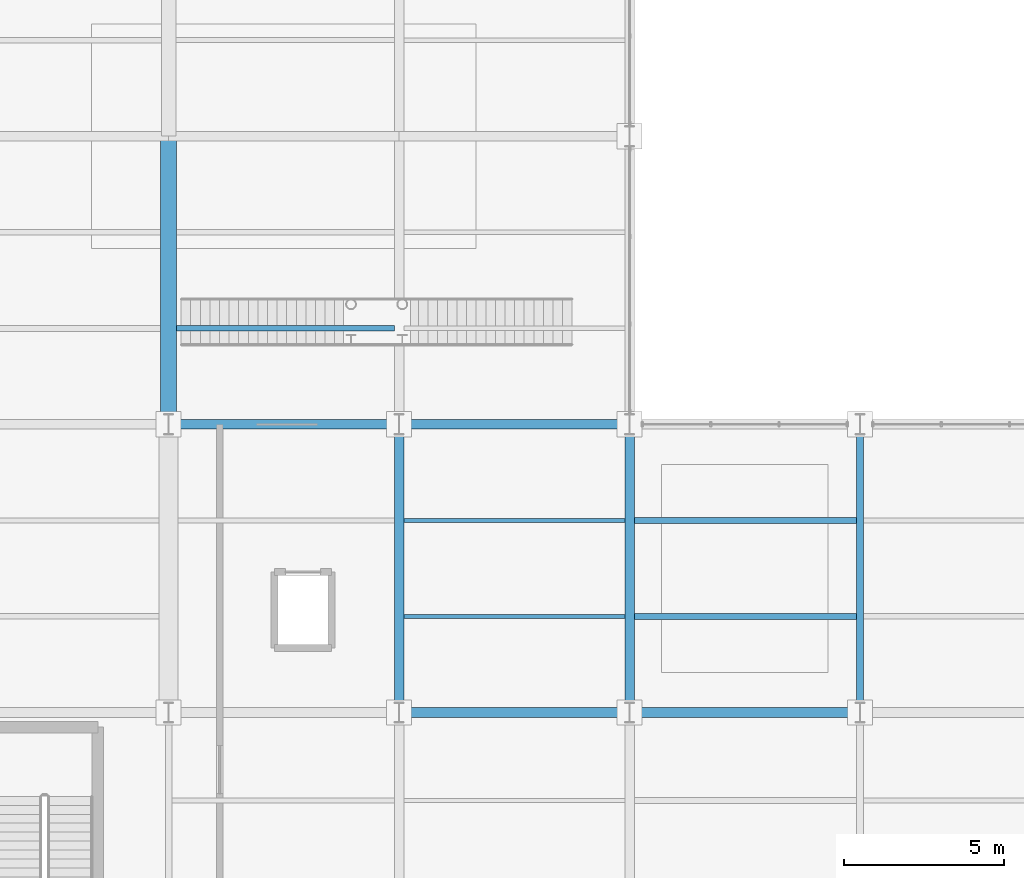
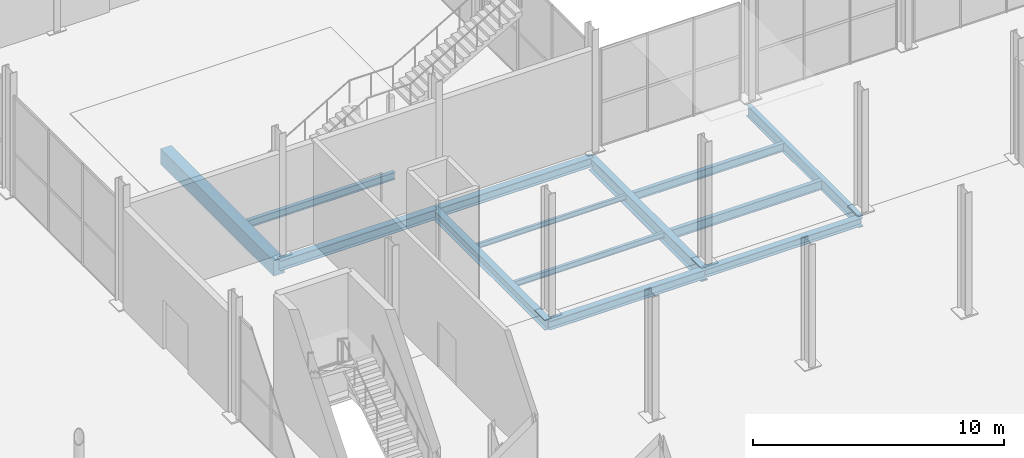
# One storey, part 45 of 144: 13 beams.
"""IFC4 building model written with IfcOpenShell, lengths in metres."""

from ifc_helpers import new_model, si_unit, direction, frame, origin, origin_2d, place, context, subcontext, project, spatial, rectangle, i_section, extrude, material, material_profile, profile_set, type_object, element, save


model = new_model("IFC4")

# Units and contexts
model_context = context("Model", 3, precision=1e-05, world=origin(), true_north=direction((0.0, 1.0)))
body_context = subcontext(model_context, "Body", "Model", "MODEL_VIEW")
ifc_project = project(units=[si_unit("LENGTHUNIT", "METRE"), si_unit("AREAUNIT", "SQUARE_METRE"), si_unit("VOLUMEUNIT", "CUBIC_METRE"), si_unit("PLANEANGLEUNIT", "RADIAN"), si_unit("MASSUNIT", "GRAM", prefix="KILO")], contexts=[model_context])

# Site, building, storey
site_placement = place(None, origin())
site = spatial("IfcSite", under=ifc_project, at=site_placement, CompositionType="ELEMENT")
building_placement = place(site_placement, origin())
building = spatial("IfcBuilding", under=site, at=building_placement, Name="Sundgate Opera House", CompositionType="ELEMENT")
storey_placement = place(building_placement, origin())
storey = spatial("IfcBuildingStorey", under=building, at=storey_placement, Name="L00", CompositionType="ELEMENT", Elevation=0.0)

# Beams
ifc_material_1 = material(Name="Steel S355J2", Category="steel")
ifc_material_profile_1 = material_profile(ifc_material_1, i_section(OverallWidth=0.300048828125, OverallDepth=0.389892578125, WebThickness=0.010986328125, FlangeThickness=0.01904296875, at=origin_2d()), Name="HEA 400")
ifc_profile_set_1 = profile_set([ifc_material_profile_1], Name="Steel S355J2")
beam_type_1 = type_object("IfcBeamType", Name="BM-GR-HEA400", PredefinedType="BEAM", material=ifc_profile_set_1)
beam_1_placement = place(storey_placement, frame((117.0, 33.0, -0.514892578125), z_axis=(1.0, 0.0, 0.0), x_axis=(0.0, 1.0, 0.0)))
element("IfcBeam", 1, at=beam_1_placement, inside=storey, type_object=beam_type_1, Name="L00 Primary E-W Girder B0399", PredefinedType="BEAM", context=body_context, shape_type="SweptSolid", body=[
    extrude(i_section(OverallWidth=0.300048828125, OverallDepth=0.389892578125, WebThickness=0.010986328125, FlangeThickness=0.01904296875, at=origin_2d()), origin(), (0.0, 0.0, 1.0), 7.199951171875),
])
ifc_material_2 = material(Name="Steel S355J2", Category="steel")
ifc_material_profile_2 = material_profile(ifc_material_2, i_section(OverallWidth=0.300048828125, OverallDepth=0.43994140625, WebThickness=0.011474609375, FlangeThickness=0.02099609375, at=origin_2d()), Name="HEA 450")
ifc_profile_set_2 = profile_set([ifc_material_profile_2], Name="Steel S355J2")
beam_type_2 = type_object("IfcBeamType", Name="BM-GR-HEA450", PredefinedType="BEAM", material=ifc_profile_set_2)
for number, where, z_axis, x_axis, name in (
    (2, (109.800048828125, 33.0, -0.5400390625), (1.0, 0.0, 0.0), (0.0, 1.0, 0.0), "L00 Primary E-W Girder B0398"),
    (3, (109.800048828125, 42.0, -0.5400390625), (1.0, 0.0, 0.0), (0.0, 1.0, 0.0), "L00 Primary E-W Girder B0420"),
):
    element("IfcBeam", number, at=place(storey_placement, frame(where, z_axis=z_axis, x_axis=x_axis)), inside=storey, type_object=beam_type_2, Name=name, PredefinedType="BEAM", context=body_context, shape_type="SweptSolid", body=[
        extrude(i_section(OverallWidth=0.300048828125, OverallDepth=0.43994140625, WebThickness=0.011474609375, FlangeThickness=0.02099609375, at=origin_2d()), origin(), (0.0, 0.0, 1.0), 7.199951171875),
    ])
ifc_material_3 = material(Name="Steel S355J2", Category="steel")
ifc_material_profile_3 = material_profile(ifc_material_3, i_section(OverallWidth=0.300048828125, OverallDepth=0.489990234375, WebThickness=0.011962890625, FlangeThickness=0.02294921875, at=origin_2d()), Name="HEA 500")
ifc_profile_set_3 = profile_set([ifc_material_profile_3], Name="Steel S355J2")
beam_type_3 = type_object("IfcBeamType", Name="BM-GR-HEA500", PredefinedType="BEAM", material=ifc_profile_set_3)
beam_2_placement = place(storey_placement, frame((109.800048828125, 33.0, -0.56494140625), z_axis=(0.0, 1.0, 0.0), x_axis=(-1.0, 0.0, 0.0)))
element("IfcBeam", 4, at=beam_2_placement, inside=storey, type_object=beam_type_3, Name="L00 Primary N-S Girder B0222", PredefinedType="BEAM", context=body_context, shape_type="SweptSolid", body=[
    extrude(i_section(OverallWidth=0.300048828125, OverallDepth=0.489990234375, WebThickness=0.011962890625, FlangeThickness=0.02294921875, at=origin_2d()), origin(), (0.0, 0.0, 1.0), 9.0),
])
beam_3_placement = place(storey_placement, frame((102.60009765625, 42.0, -0.56494140625), z_axis=(1.0, 0.0, 0.0), x_axis=(0.0, 1.0, 0.0)))
element("IfcBeam", 5, at=beam_3_placement, inside=storey, type_object=beam_type_3, Name="L00 Primary E-W Girder B0419", PredefinedType="BEAM", context=body_context, shape_type="SweptSolid", body=[
    extrude(i_section(OverallWidth=0.300048828125, OverallDepth=0.489990234375, WebThickness=0.011962890625, FlangeThickness=0.02294921875, at=origin_2d()), origin(), (0.0, 0.0, 1.0), 7.199951171875),
])
ifc_material_4 = material(Name="Steel S355J2", Category="steel")
ifc_material_profile_4 = material_profile(ifc_material_4, i_section(OverallWidth=0.300048828125, OverallDepth=0.64990234375, WebThickness=0.01611328125, FlangeThickness=0.031005859375, at=origin_2d()), Name="HEB 650")
ifc_profile_set_4 = profile_set([ifc_material_profile_4], Name="Steel S355J2")
beam_type_4 = type_object("IfcBeamType", Name="BM-GR-HEB650", PredefinedType="BEAM", material=ifc_profile_set_4)
beam_4_placement = place(storey_placement, frame((117.0, 33.0, -0.64501953125), z_axis=(0.0, 1.0, 0.0), x_axis=(-1.0, 0.0, 0.0)))
element("IfcBeam", 6, at=beam_4_placement, inside=storey, type_object=beam_type_4, Name="L00 Primary N-S Girder B0236", PredefinedType="BEAM", context=body_context, shape_type="SweptSolid", body=[
    extrude(i_section(OverallWidth=0.300048828125, OverallDepth=0.64990234375, WebThickness=0.01611328125, FlangeThickness=0.031005859375, at=origin_2d()), origin(), (0.0, 0.0, 1.0), 9.0),
])
ifc_material_5 = material(Name="Steel S355J2", Category="steel")
ifc_material_profile_5 = material_profile(ifc_material_5, i_section(OverallWidth=0.2099609375, OverallDepth=0.550048828125, WebThickness=0.010986328125, FlangeThickness=0.01708984375, at=origin_2d()), Name="IPE 550")
ifc_profile_set_5 = profile_set([ifc_material_profile_5], Name="Steel S355J2")
beam_type_5 = type_object("IfcBeamType", Name="BM-GR-IPE550", PredefinedType="BEAM", material=ifc_profile_set_5)
beam_5_placement = place(storey_placement, frame((124.199951171875, 33.0, -0.594970703125), z_axis=(0.0, 1.0, 0.0), x_axis=(-1.0, 0.0, 0.0)))
element("IfcBeam", 7, at=beam_5_placement, inside=storey, type_object=beam_type_5, Name="L00 Primary N-S Girder B0250", PredefinedType="BEAM", context=body_context, shape_type="SweptSolid", body=[
    extrude(i_section(OverallWidth=0.2099609375, OverallDepth=0.550048828125, WebThickness=0.010986328125, FlangeThickness=0.01708984375, at=origin_2d()), origin(), (0.0, 0.0, 1.0), 9.0),
])
ifc_material_6 = material(Name="Steel S355J2", Category="steel")
ifc_material_profile_6 = material_profile(ifc_material_6, i_section(OverallWidth=0.1201171875, OverallDepth=0.239990234375, WebThickness=0.006103515625, FlangeThickness=0.009765625, at=origin_2d()), Name="IPE 240")
ifc_profile_set_6 = profile_set([ifc_material_profile_6], Name="Steel S355J2")
beam_type_6 = type_object("IfcBeamType", Name="BM-JS-IPE240", PredefinedType="JOIST", material=ifc_profile_set_6)
beam_6_placement = place(storey_placement, frame((109.949951171875, 39.0, -0.43994140625), z_axis=(1.0, 0.0, 0.0), x_axis=(0.0, 1.0, 0.0)))
element("IfcBeam", 8, at=beam_6_placement, inside=storey, type_object=beam_type_6, Name="L00 Secondary Floor Joist B0734", PredefinedType="JOIST", context=body_context, shape_type="SweptSolid", body=[
    extrude(i_section(OverallWidth=0.1201171875, OverallDepth=0.239990234375, WebThickness=0.006103515625, FlangeThickness=0.009765625, at=origin_2d()), origin(), (0.0, 0.0, 1.0), 6.900146484375),
])
ifc_material_7 = material(Name="Steel S355J2", Category="steel")
ifc_material_profile_7 = material_profile(ifc_material_7, i_section(OverallWidth=0.135009765625, OverallDepth=0.27001953125, WebThickness=0.006591796875, FlangeThickness=0.01025390625, at=origin_2d()), Name="IPE 270")
ifc_profile_set_7 = profile_set([ifc_material_profile_7], Name="Steel S355J2")
beam_type_7 = type_object("IfcBeamType", Name="BM-JS-IPE270", PredefinedType="JOIST", material=ifc_profile_set_7)
beam_7_placement = place(storey_placement, frame((109.949951171875, 36.0, -0.455078125), z_axis=(1.0, 0.0, 0.0), x_axis=(0.0, 1.0, 0.0)))
element("IfcBeam", 9, at=beam_7_placement, inside=storey, type_object=beam_type_7, Name="L00 Secondary Floor Joist B0733", PredefinedType="JOIST", context=body_context, shape_type="SweptSolid", body=[
    extrude(i_section(OverallWidth=0.135009765625, OverallDepth=0.27001953125, WebThickness=0.006591796875, FlangeThickness=0.01025390625, at=origin_2d()), origin(), (0.0, 0.0, 1.0), 6.900146484375),
])
ifc_material_8 = material(Name="Steel S355J2", Category="steel")
ifc_material_profile_8 = material_profile(ifc_material_8, i_section(OverallWidth=0.169921875, OverallDepth=0.360107421875, WebThickness=0.008056640625, FlangeThickness=0.0126953125, at=origin_2d()), Name="IPE 360")
ifc_profile_set_8 = profile_set([ifc_material_profile_8], Name="Steel S355J2")
beam_type_8 = type_object("IfcBeamType", Name="BM-JS-IPE360", PredefinedType="JOIST", material=ifc_profile_set_8)
beam_8_placement = place(storey_placement, frame((102.85009765625, 45.0, -0.5), z_axis=(1.0, 0.0, 0.0), x_axis=(0.0, 1.0, 0.0)))
element("IfcBeam", 10, at=beam_8_placement, inside=storey, type_object=beam_type_8, Name="L00 Secondary Floor Joist B0765", PredefinedType="JOIST", context=body_context, shape_type="SweptSolid", body=[
    extrude(i_section(OverallWidth=0.169921875, OverallDepth=0.360107421875, WebThickness=0.008056640625, FlangeThickness=0.0126953125, at=origin_2d()), origin(), (0.0, 0.0, 1.0), 6.7998046875),
])
ifc_material_9 = material(Name="Steel S355J2", Category="steel")
ifc_material_profile_9 = material_profile(ifc_material_9, i_section(OverallWidth=0.179931640625, OverallDepth=0.39990234375, WebThickness=0.008544921875, FlangeThickness=0.013427734375, at=origin_2d()), Name="IPE 400")
ifc_profile_set_9 = profile_set([ifc_material_profile_9], Name="Steel S355J2")
beam_type_9 = type_object("IfcBeamType", Name="BM-JS-IPE400", PredefinedType="JOIST", material=ifc_profile_set_9)
beam_9_placement = place(storey_placement, frame((117.14990234375, 39.0, -0.52001953125), z_axis=(1.0, 0.0, 0.0), x_axis=(0.0, 1.0, 0.0)))
element("IfcBeam", 11, at=beam_9_placement, inside=storey, type_object=beam_type_9, Name="L00 Secondary Floor Joist B0736", PredefinedType="JOIST", context=body_context, shape_type="SweptSolid", body=[
    extrude(i_section(OverallWidth=0.179931640625, OverallDepth=0.39990234375, WebThickness=0.008544921875, FlangeThickness=0.013427734375, at=origin_2d()), origin(), (0.0, 0.0, 1.0), 6.945068359375),
])
ifc_material_10 = material(Name="Steel S355J2", Category="steel")
ifc_material_profile_10 = material_profile(ifc_material_10, i_section(OverallWidth=0.18994140625, OverallDepth=0.449951171875, WebThickness=0.009521484375, FlangeThickness=0.0146484375, at=origin_2d()), Name="IPE 450")
ifc_profile_set_10 = profile_set([ifc_material_profile_10], Name="Steel S355J2")
beam_type_10 = type_object("IfcBeamType", Name="BM-JS-IPE450", PredefinedType="JOIST", material=ifc_profile_set_10)
beam_10_placement = place(storey_placement, frame((117.14990234375, 36.0, -0.544921875), z_axis=(1.0, 0.0, 0.0), x_axis=(0.0, 1.0, 0.0)))
element("IfcBeam", 12, at=beam_10_placement, inside=storey, type_object=beam_type_10, Name="L00 Secondary Floor Joist B0735", PredefinedType="JOIST", context=body_context, shape_type="SweptSolid", body=[
    extrude(i_section(OverallWidth=0.18994140625, OverallDepth=0.449951171875, WebThickness=0.009521484375, FlangeThickness=0.0146484375, at=origin_2d()), origin(), (0.0, 0.0, 1.0), 6.945068359375),
])
ifc_material_11 = material(Name="Concrete C40/50", Category="concrete")
ifc_material_profile_11 = material_profile(ifc_material_11, rectangle(XDim=0.5, YDim=0.75, at=origin_2d()), Name="RC 500x750")
ifc_profile_set_11 = profile_set([ifc_material_profile_11], Name="Concrete C40/50")
beam_type_11 = type_object("IfcBeamType", Name="BM-RC-500x750", PredefinedType="BEAM", material=ifc_profile_set_11)
beam_11_placement = place(storey_placement, frame((102.60009765625, 42.0, -0.695068359375), z_axis=(0.0, 1.0, 0.0), x_axis=(-1.0, 0.0, 0.0)))
element("IfcBeam", 13, at=beam_11_placement, inside=storey, type_object=beam_type_11, Name="L00 Primary N-S Girder B0209", PredefinedType="BEAM", context=body_context, shape_type="SweptSolid", body=[
    extrude(rectangle(XDim=0.5, YDim=0.75, at=origin_2d()), origin(), (0.0, 0.0, 1.0), 9.0),
])

save(model, "model.ifc")
